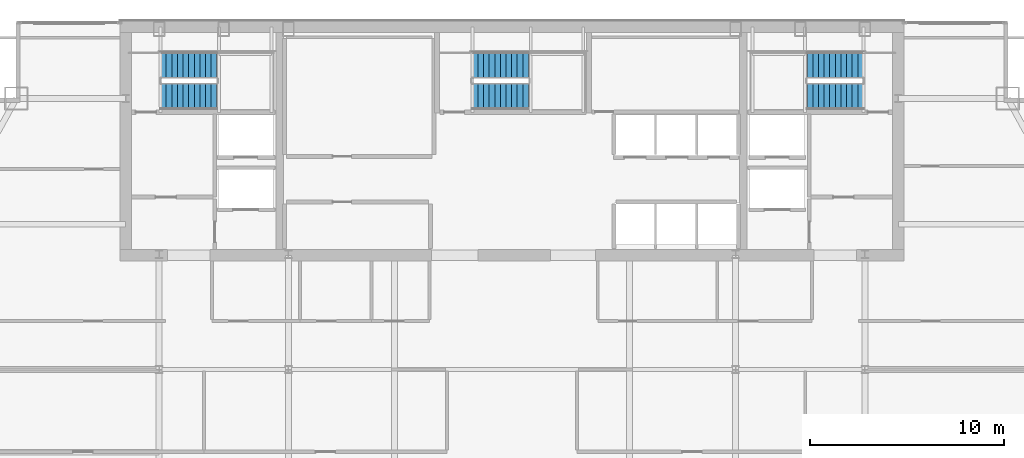
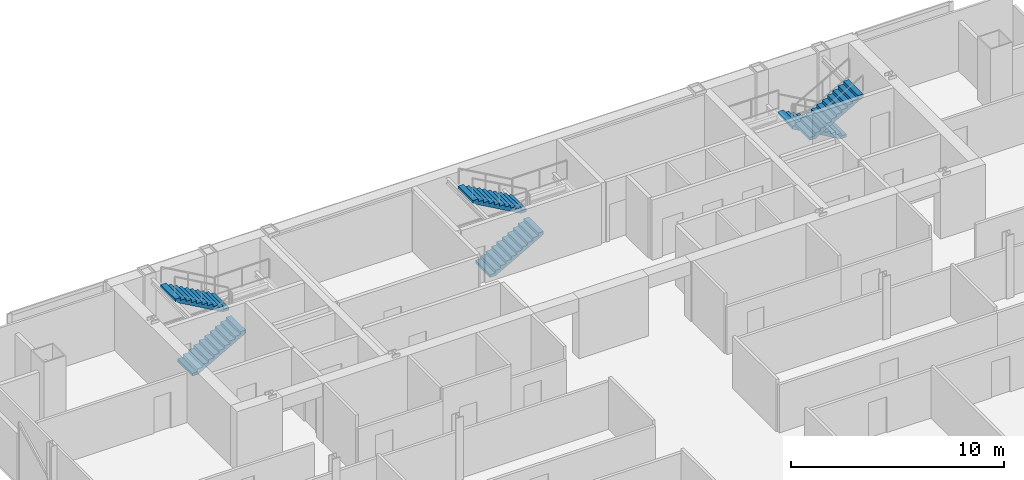
# One storey, part 28 of 30: 6 stair flights, 3 elements without a shape of their own.
"""IFC4 building model written with IfcOpenShell, lengths in metres."""

from ifc_helpers import new_model, si_unit, direction, frame, origin, place, context, subcontext, project, spatial, polyline, outline, extrude, material, type_object, element, aggregate, save


model = new_model("IFC4")

# Units and contexts
model_context = context("Model", 3, precision=1e-05, world=origin(), true_north=direction((0.0, 1.0)))
body_context = subcontext(model_context, "Body", "Model", "MODEL_VIEW")
ifc_project = project(units=[si_unit("LENGTHUNIT", "METRE"), si_unit("AREAUNIT", "SQUARE_METRE"), si_unit("VOLUMEUNIT", "CUBIC_METRE"), si_unit("PLANEANGLEUNIT", "RADIAN"), si_unit("MASSUNIT", "GRAM", prefix="KILO")], contexts=[model_context])

# Site, building, storey
site_placement = place(None, origin())
site = spatial("IfcSite", under=ifc_project, at=site_placement, CompositionType="ELEMENT")
building_placement = place(site_placement, origin())
building = spatial("IfcBuilding", under=site, at=building_placement, Name="Khoronbel Lancet Exchange", CompositionType="ELEMENT")
storey_placement = place(building_placement, frame((0.0, 0.0, 213.800048828125)))
storey = spatial("IfcBuildingStorey", under=building, at=storey_placement, Name="L54", CompositionType="ELEMENT", Elevation=213.800048828125)

# Stair, stair flights
ifc_material = material(Name="Concrete C40/50", Category="concrete")
stair_type = type_object("IfcStairType", Name="STR-CORE150", PredefinedType="HALF_TURN_STAIR", material=ifc_material)
stair_1_placement = place(storey_placement, origin())
stair_1 = element("IfcStair", 1, at=stair_1_placement, inside=storey, type_object=stair_type, Name="L54 Protected Exit Stair ST1", PredefinedType="HALF_TURN_STAIR")
stair_flight_type = type_object("IfcStairFlightType", Name="STF-150", PredefinedType="STRAIGHT", material=ifc_material)
stair_flight_1_placement = place(storey_placement, frame((18.300048828125, 49.81005859375, 0.0), z_axis=(0.0, 0.0, 1.0), x_axis=(1.0, 0.0, 0.0)))
stair_flight_1 = element("IfcStairFlight", 2, at=stair_flight_1_placement, type_object=stair_flight_type, Name="ST1 flight 1", NumberOfRisers=11, NumberOfTreads=10, PredefinedType="STRAIGHT", RiserHeight=0.163636364, TreadLength=0.29, context=body_context, shape_type="SweptSolid", body=[
    extrude(outline(polyline([(0.0, 0.0), (0.0, 0.16357421875), (0.2900390625, 0.16357421875), (0.2900390625, 0.327392578125), (0.580078125, 0.327392578125), (0.580078125, 0.490966796875), (0.8701171875, 0.490966796875), (0.8701171875, 0.654541015625), (1.159912109375, 0.654541015625), (1.159912109375, 0.818115234375), (1.449951171875, 0.818115234375), (1.449951171875, 0.98193359375), (1.739990234375, 0.98193359375), (1.739990234375, 1.1455078125), (2.030029296875, 1.1455078125), (2.030029296875, 1.30908203125), (2.320068359375, 1.30908203125), (2.320068359375, 1.47265625), (2.610107421875, 1.47265625), (2.610107421875, 1.636474609375), (2.89990234375, 1.636474609375), (2.89990234375, 1.800048828125), (2.89990234375, 1.46435546875), (0.304931640625, 0.0), (0.0, 0.0)])), frame((0.0, 0.68994140625, 0.0), z_axis=(0.0, -1.0, 0.0), x_axis=(1.0, 0.0, 0.0)), (0.0, 0.0, 1.0), 1.3798828125),
])
stair_flight_2_placement = place(storey_placement, frame((21.199951171875, 51.409912109375, 1.800048828125), z_axis=(0.0, 0.0, 1.0), x_axis=(-1.0, 0.0, 0.0)))
stair_flight_2 = element("IfcStairFlight", 3, at=stair_flight_2_placement, type_object=stair_flight_type, Name="ST1 flight 2", NumberOfRisers=11, NumberOfTreads=10, PredefinedType="STRAIGHT", RiserHeight=0.163636364, TreadLength=0.29, context=body_context, shape_type="SweptSolid", body=[
    extrude(outline(polyline([(0.0, 0.0), (0.0, 0.16357421875), (0.2900390625, 0.16357421875), (0.2900390625, 0.327392578125), (0.580078125, 0.327392578125), (0.580078125, 0.490966796875), (0.8701171875, 0.490966796875), (0.8701171875, 0.654541015625), (1.159912109375, 0.654541015625), (1.159912109375, 0.818115234375), (1.449951171875, 0.818115234375), (1.449951171875, 0.98193359375), (1.739990234375, 0.98193359375), (1.739990234375, 1.1455078125), (2.030029296875, 1.1455078125), (2.030029296875, 1.30908203125), (2.320068359375, 1.30908203125), (2.320068359375, 1.47265625), (2.610107421875, 1.47265625), (2.610107421875, 1.636474609375), (2.89990234375, 1.636474609375), (2.89990234375, 1.800048828125), (2.89990234375, 1.46435546875), (0.304931640625, 0.0), (0.0, 0.0)])), frame((0.0, 0.68994140625, 0.0), z_axis=(0.0, -1.0, 0.0), x_axis=(1.0, 0.0, 0.0)), (0.0, 0.0, 1.0), 1.3798828125),
])
aggregate(stair_1, [stair_flight_1, stair_flight_2])

stair_2_placement = place(storey_placement, origin())
stair_2 = element("IfcStair", 4, at=stair_2_placement, inside=storey, type_object=stair_type, Name="L54 Protected Exit Stair ST2", PredefinedType="HALF_TURN_STAIR")
stair_flight_3_placement = place(storey_placement, frame((54.60009765625, 51.409912109375, 0.0), z_axis=(0.0, 0.0, 1.0), x_axis=(-1.0, 0.0, 0.0)))
stair_flight_3 = element("IfcStairFlight", 5, at=stair_flight_3_placement, type_object=stair_flight_type, Name="ST2 flight 1", NumberOfRisers=11, NumberOfTreads=10, PredefinedType="STRAIGHT", RiserHeight=0.163636364, TreadLength=0.29, context=body_context, shape_type="SweptSolid", body=[
    extrude(outline(polyline([(0.0, 0.0), (0.0, 0.16357421875), (0.2900390625, 0.16357421875), (0.2900390625, 0.327392578125), (0.580078125, 0.327392578125), (0.580078125, 0.490966796875), (0.8701171875, 0.490966796875), (0.8701171875, 0.654541015625), (1.159912109375, 0.654541015625), (1.159912109375, 0.818115234375), (1.449951171875, 0.818115234375), (1.449951171875, 0.98193359375), (1.739990234375, 0.98193359375), (1.739990234375, 1.1455078125), (2.030029296875, 1.1455078125), (2.030029296875, 1.30908203125), (2.320068359375, 1.30908203125), (2.320068359375, 1.47265625), (2.610107421875, 1.47265625), (2.610107421875, 1.636474609375), (2.89990234375, 1.636474609375), (2.89990234375, 1.800048828125), (2.89990234375, 1.46435546875), (0.304931640625, 0.0), (0.0, 0.0)])), frame((0.0, 0.68994140625, 0.0), z_axis=(0.0, -1.0, 0.0), x_axis=(1.0, 0.0, 0.0)), (0.0, 0.0, 1.0), 1.3798828125),
])
stair_flight_4_placement = place(storey_placement, frame((51.699951171875, 49.81005859375, 1.800048828125), z_axis=(0.0, 0.0, 1.0), x_axis=(1.0, 0.0, 0.0)))
stair_flight_4 = element("IfcStairFlight", 6, at=stair_flight_4_placement, type_object=stair_flight_type, Name="ST2 flight 2", NumberOfRisers=11, NumberOfTreads=10, PredefinedType="STRAIGHT", RiserHeight=0.163636364, TreadLength=0.29, context=body_context, shape_type="SweptSolid", body=[
    extrude(outline(polyline([(0.0, 0.0), (0.0, 0.16357421875), (0.2900390625, 0.16357421875), (0.2900390625, 0.327392578125), (0.580078125, 0.327392578125), (0.580078125, 0.490966796875), (0.8701171875, 0.490966796875), (0.8701171875, 0.654541015625), (1.159912109375, 0.654541015625), (1.159912109375, 0.818115234375), (1.449951171875, 0.818115234375), (1.449951171875, 0.98193359375), (1.739990234375, 0.98193359375), (1.739990234375, 1.1455078125), (2.030029296875, 1.1455078125), (2.030029296875, 1.30908203125), (2.320068359375, 1.30908203125), (2.320068359375, 1.47265625), (2.610107421875, 1.47265625), (2.610107421875, 1.636474609375), (2.89990234375, 1.636474609375), (2.89990234375, 1.800048828125), (2.89990234375, 1.46435546875), (0.304931640625, 0.0), (0.0, 0.0)])), frame((0.0, 0.68994140625, 0.0), z_axis=(0.0, -1.0, 0.0), x_axis=(1.0, 0.0, 0.0)), (0.0, 0.0, 1.0), 1.3798828125),
])
aggregate(stair_2, [stair_flight_3, stair_flight_4])

stair_3_placement = place(storey_placement, origin())
stair_3 = element("IfcStair", 7, at=stair_3_placement, inside=storey, type_object=stair_type, Name="L54 Protected Exit Stair ST3", PredefinedType="HALF_TURN_STAIR")
stair_flight_5_placement = place(storey_placement, frame((34.39990234375, 49.81005859375, 0.0), z_axis=(0.0, 0.0, 1.0), x_axis=(1.0, 0.0, 0.0)))
stair_flight_5 = element("IfcStairFlight", 8, at=stair_flight_5_placement, type_object=stair_flight_type, Name="ST3 flight 1", NumberOfRisers=11, NumberOfTreads=10, PredefinedType="STRAIGHT", RiserHeight=0.163636364, TreadLength=0.29, context=body_context, shape_type="SweptSolid", body=[
    extrude(outline(polyline([(0.0, 0.0), (0.0, 0.16357421875), (0.2900390625, 0.16357421875), (0.2900390625, 0.327392578125), (0.580078125, 0.327392578125), (0.580078125, 0.490966796875), (0.8701171875, 0.490966796875), (0.8701171875, 0.654541015625), (1.159912109375, 0.654541015625), (1.159912109375, 0.818115234375), (1.449951171875, 0.818115234375), (1.449951171875, 0.98193359375), (1.739990234375, 0.98193359375), (1.739990234375, 1.1455078125), (2.030029296875, 1.1455078125), (2.030029296875, 1.30908203125), (2.320068359375, 1.30908203125), (2.320068359375, 1.47265625), (2.610107421875, 1.47265625), (2.610107421875, 1.636474609375), (2.89990234375, 1.636474609375), (2.89990234375, 1.800048828125), (2.89990234375, 1.46435546875), (0.304931640625, 0.0), (0.0, 0.0)])), frame((0.0, 0.68994140625, 0.0), z_axis=(0.0, -1.0, 0.0), x_axis=(1.0, 0.0, 0.0)), (0.0, 0.0, 1.0), 1.3798828125),
])
stair_flight_6_placement = place(storey_placement, frame((37.300048828125, 51.409912109375, 1.800048828125), z_axis=(0.0, 0.0, 1.0), x_axis=(-1.0, 0.0, 0.0)))
stair_flight_6 = element("IfcStairFlight", 9, at=stair_flight_6_placement, type_object=stair_flight_type, Name="ST3 flight 2", NumberOfRisers=11, NumberOfTreads=10, PredefinedType="STRAIGHT", RiserHeight=0.163636364, TreadLength=0.29, context=body_context, shape_type="SweptSolid", body=[
    extrude(outline(polyline([(0.0, 0.0), (0.0, 0.16357421875), (0.2900390625, 0.16357421875), (0.2900390625, 0.327392578125), (0.580078125, 0.327392578125), (0.580078125, 0.490966796875), (0.8701171875, 0.490966796875), (0.8701171875, 0.654541015625), (1.159912109375, 0.654541015625), (1.159912109375, 0.818115234375), (1.449951171875, 0.818115234375), (1.449951171875, 0.98193359375), (1.739990234375, 0.98193359375), (1.739990234375, 1.1455078125), (2.030029296875, 1.1455078125), (2.030029296875, 1.30908203125), (2.320068359375, 1.30908203125), (2.320068359375, 1.47265625), (2.610107421875, 1.47265625), (2.610107421875, 1.636474609375), (2.89990234375, 1.636474609375), (2.89990234375, 1.800048828125), (2.89990234375, 1.46435546875), (0.304931640625, 0.0), (0.0, 0.0)])), frame((0.0, 0.68994140625, 0.0), z_axis=(0.0, -1.0, 0.0), x_axis=(1.0, 0.0, 0.0)), (0.0, 0.0, 1.0), 1.3798828125),
])
aggregate(stair_3, [stair_flight_5, stair_flight_6])

save(model, "model.ifc")
